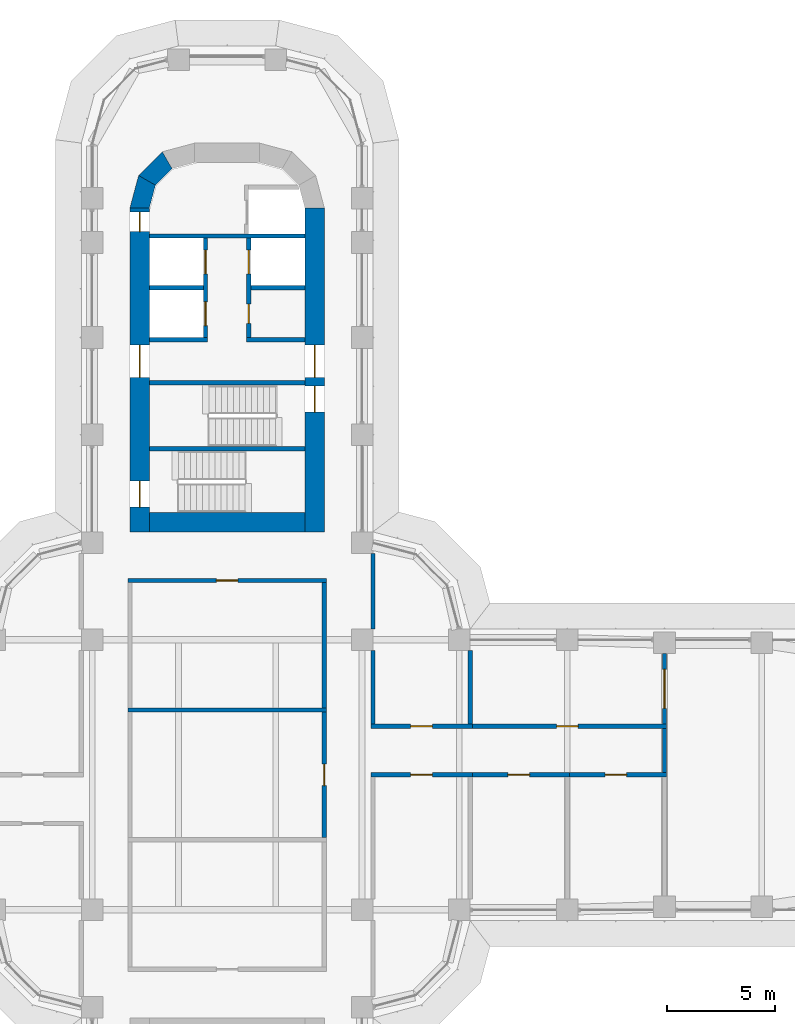
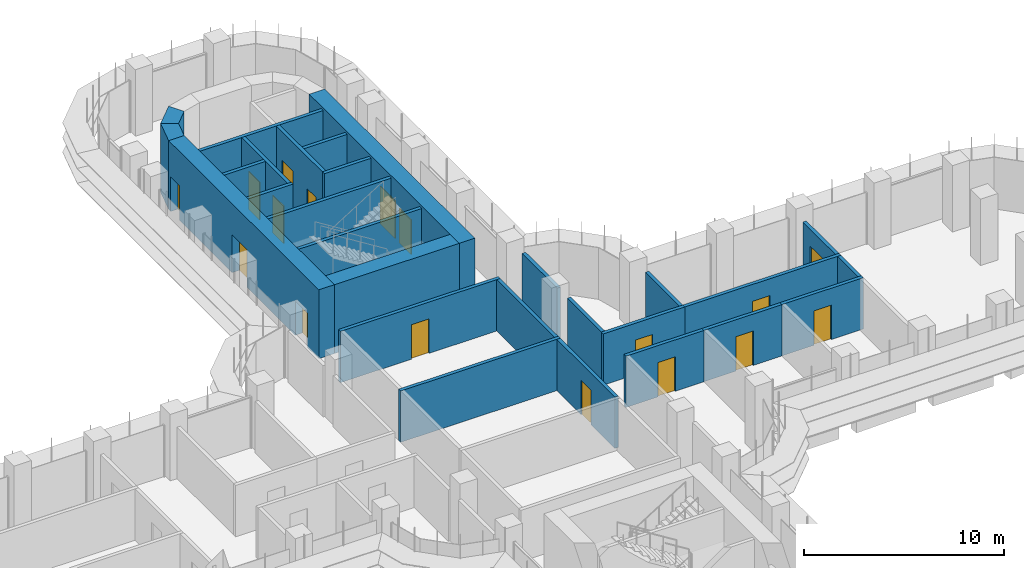
# One storey, part 18 of 23: 28 walls, 17 doors, 17 openings.
"""IFC4 building model written with IfcOpenShell, lengths in metres."""

from ifc_helpers import new_model, si_unit, direction, frame, frame_2d, origin, place, context, subcontext, project, spatial, polyline, rectangle, outline, extrude, material, layer, layer_set, type_object, element, fill, save


model = new_model("IFC4")

# Units and contexts
model_context = context("Model", 3, precision=1e-05, world=origin(), true_north=direction((0.0, 1.0)))
body_context = subcontext(model_context, "Body", "Model", "MODEL_VIEW")
ifc_project = project(units=[si_unit("LENGTHUNIT", "METRE"), si_unit("AREAUNIT", "SQUARE_METRE"), si_unit("VOLUMEUNIT", "CUBIC_METRE"), si_unit("PLANEANGLEUNIT", "RADIAN"), si_unit("MASSUNIT", "GRAM", prefix="KILO")], contexts=[model_context])

# Site, building, storey
site_placement = place(None, origin())
site = spatial("IfcSite", under=ifc_project, at=site_placement, CompositionType="ELEMENT")
building_placement = place(site_placement, origin())
building = spatial("IfcBuilding", under=site, at=building_placement, Name="Zarbagh Exchange Tower", CompositionType="ELEMENT")
storey_placement = place(building_placement, frame((0.0, 0.0, 39.60009765625)))
storey = spatial("IfcBuildingStorey", under=building, at=storey_placement, Name="L08", CompositionType="ELEMENT", Elevation=39.60009765625)

# Wall
ifc_material_1 = material(Name="Fire-rated plasterboard partition")
ifc_layer_1 = layer(ifc_material_1, 0.199951171875)
ifc_layer_set_1 = layer_set([ifc_layer_1], Name="RATED PARTITION 200")
wall_type_1 = type_object("IfcWallType", Name="RATED PARTITION 200", PredefinedType="PARTITIONING", material=ifc_layer_set_1)
wall_1_placement = place(storey_placement, frame((4.5, 3.10009765625, 0.0), z_axis=(0.0, 0.0, 1.0), x_axis=(0.0, 1.0, 0.0)))
element("IfcWall", 1, at=wall_1_placement, inside=storey, type_object=wall_type_1, Name="Partition W-208", PredefinedType="PARTITIONING", context=body_context, shape_type="SweptSolid", body=[
    extrude(rectangle(XDim=5.7998046875, YDim=0.199951171875, at=frame_2d((2.89990234375, 0.0))), origin(), (0.0, 0.0, 1.0), 3.13037109375),
])

# Wall, opening, door
wall_2_placement = place(storey_placement, frame((4.5, -2.89990234375, 0.0), z_axis=(0.0, 0.0, 1.0), x_axis=(0.0, 1.0, 0.0)))
wall_2 = element("IfcWall", 2, at=wall_2_placement, inside=storey, type_object=wall_type_1, Name="Partition W-209", PredefinedType="PARTITIONING", context=body_context, shape_type="SweptSolid", body=[
    extrude(rectangle(XDim=5.7998046875, YDim=0.199951171875, at=frame_2d((2.89990234375, 0.0))), origin(), (0.0, 0.0, 1.0), 3.13037109375),
])
opening_1_placement = place(wall_2_placement, frame((2.39990234375, 0.0, 0.0)))
opening_1 = element("IfcOpeningElement", 3, at=opening_1_placement, cuts=wall_2, Name="Opening D-201", PredefinedType="OPENING", context=body_context, shape_type="SweptSolid", body=[
    extrude(rectangle(XDim=1.0, YDim=2.10009765625, at=frame_2d((0.5, 1.050048828125))), frame((0.0, 0.10986328125, 0.0), z_axis=(0.0, -1.0, 0.0), x_axis=(1.0, 0.0, 0.0)), (0.0, 0.0, 1.0), 0.219970703125),
])
ifc_material_2 = material(Name="Steel door set", Category="steel")
door_type_1 = type_object("IfcDoorType", Name="FIRE DOOR 1000 X 2100 FD30S", OperationType="NOTDEFINED", PredefinedType="DOOR", material=ifc_material_2)
door_1_placement = place(opening_1_placement, origin())
door_1 = element("IfcDoor", 4, at=door_1_placement, inside=storey, type_object=door_type_1, Name="Door D-201", OperationType="SINGLE_SWING_RIGHT", OverallHeight=2.10009765625, OverallWidth=1.0, PredefinedType="DOOR", context=body_context, shape_type="SweptSolid", body=[
    extrude(rectangle(XDim=1.0, YDim=2.10009765625, at=frame_2d((0.5, 1.050048828125))), frame((0.0, 0.02490234375, 0.0), z_axis=(0.0, -1.0, 0.0), x_axis=(1.0, 0.0, 0.0)), (0.0, 0.0, 1.0), 0.050048828125),
])
fill(opening_1, door_1)

# Walls
wall_3_placement = place(storey_placement, frame((6.75, 2.35009765625, 0.0), z_axis=(0.0, 0.0, 1.0), x_axis=(0.0, 1.0, 0.0)))
element("IfcWall", 5, at=wall_3_placement, inside=storey, type_object=wall_type_1, Name="Partition W-211", PredefinedType="PARTITIONING", context=body_context, shape_type="SweptSolid", body=[
    extrude(rectangle(XDim=3.39990234375, YDim=0.199951171875, at=frame_2d((1.699951171875, 0.0))), origin(), (0.0, 0.0, 1.0), 3.13037109375),
])
wall_4_placement = place(storey_placement, frame((6.75, 6.75, 0.0), z_axis=(0.0, 0.0, 1.0), x_axis=(0.0, 1.0, 0.0)))
element("IfcWall", 6, at=wall_4_placement, inside=storey, type_object=wall_type_1, Name="Partition W-212", PredefinedType="PARTITIONING", context=body_context, shape_type="SweptSolid", body=[
    extrude(rectangle(XDim=3.5, YDim=0.199951171875, at=frame_2d((1.75, 0.0))), origin(), (0.0, 0.0, 1.0), 3.13037109375),
])

# Wall, opening, door
wall_5_placement = place(storey_placement, frame((4.60009765625, 9.0, 0.0), z_axis=(0.0, 0.0, 1.0), x_axis=(-1.0, 0.0, 0.0)))
wall_5 = element("IfcWall", 7, at=wall_5_placement, inside=storey, type_object=wall_type_1, Name="Partition W-215", PredefinedType="PARTITIONING", context=body_context, shape_type="SweptSolid", body=[
    extrude(rectangle(XDim=9.2001953125, YDim=0.199951171875, at=frame_2d((4.60009765625, 0.0))), origin(), (0.0, 0.0, 1.0), 3.13037109375),
])
opening_2_placement = place(wall_5_placement, frame((4.10009765625, 0.0, 0.0)))
opening_2 = element("IfcOpeningElement", 8, at=opening_2_placement, cuts=wall_5, Name="Opening D-202", PredefinedType="OPENING", context=body_context, shape_type="SweptSolid", body=[
    extrude(rectangle(XDim=1.0, YDim=2.10009765625, at=frame_2d((0.5, 1.050048828125))), frame((0.0, 0.10986328125, 0.0), z_axis=(0.0, -1.0, 0.0), x_axis=(1.0, 0.0, 0.0)), (0.0, 0.0, 1.0), 0.219970703125),
])
door_2_placement = place(opening_2_placement, origin())
door_2 = element("IfcDoor", 9, at=door_2_placement, inside=storey, type_object=door_type_1, Name="Door D-202", OperationType="SINGLE_SWING_RIGHT", OverallHeight=2.10009765625, OverallWidth=1.0, PredefinedType="DOOR", context=body_context, shape_type="SweptSolid", body=[
    extrude(rectangle(XDim=1.0, YDim=2.10009765625, at=frame_2d((0.5, 1.050048828125))), frame((0.0, 0.02490234375, 0.0), z_axis=(0.0, -1.0, 0.0), x_axis=(1.0, 0.0, 0.0)), (0.0, 0.0, 1.0), 0.050048828125),
])
fill(opening_2, door_2)

# Wall
wall_6_placement = place(storey_placement, frame((-4.60009765625, 3.0, 0.0), z_axis=(0.0, 0.0, 1.0), x_axis=(1.0, 0.0, 0.0)))
element("IfcWall", 10, at=wall_6_placement, inside=storey, type_object=wall_type_1, Name="Partition W-217", PredefinedType="PARTITIONING", context=body_context, shape_type="SweptSolid", body=[
    extrude(rectangle(XDim=9.2001953125, YDim=0.199951171875, at=frame_2d((4.60009765625, 0.0))), origin(), (0.0, 0.0, 1.0), 3.13037109375),
])

# Wall, opening, door
wall_7_placement = place(storey_placement, frame((6.64990234375, 2.25, 0.0), z_axis=(0.0, 0.0, 1.0), x_axis=(1.0, 0.0, 0.0)))
wall_7 = element("IfcWall", 11, at=wall_7_placement, inside=storey, type_object=wall_type_1, Name="Partition W-219", PredefinedType="PARTITIONING", context=body_context, shape_type="SweptSolid", body=[
    extrude(rectangle(XDim=4.7001953125, YDim=0.199951171875, at=frame_2d((2.35009765625, 0.0))), origin(), (0.0, 0.0, 1.0), 3.13037109375),
])
opening_3_placement = place(wall_7_placement, frame((1.85009765625, 0.0, 0.0)))
opening_3 = element("IfcOpeningElement", 12, at=opening_3_placement, cuts=wall_7, Name="Opening D-205", PredefinedType="OPENING", context=body_context, shape_type="SweptSolid", body=[
    extrude(rectangle(XDim=1.0, YDim=2.10009765625, at=frame_2d((0.5, 1.050048828125))), frame((0.0, 0.10986328125, 0.0), z_axis=(0.0, -1.0, 0.0), x_axis=(1.0, 0.0, 0.0)), (0.0, 0.0, 1.0), 0.219970703125),
])
door_3_placement = place(opening_3_placement, origin())
door_3 = element("IfcDoor", 13, at=door_3_placement, inside=storey, type_object=door_type_1, Name="Door D-205", OperationType="SINGLE_SWING_RIGHT", OverallHeight=2.10009765625, OverallWidth=1.0, PredefinedType="DOOR", context=body_context, shape_type="SweptSolid", body=[
    extrude(rectangle(XDim=1.0, YDim=2.10009765625, at=frame_2d((0.5, 1.050048828125))), frame((0.0, 0.02490234375, 0.0), z_axis=(0.0, -1.0, 0.0), x_axis=(1.0, 0.0, 0.0)), (0.0, 0.0, 1.0), 0.050048828125),
])
fill(opening_3, door_3)

wall_8_placement = place(storey_placement, frame((11.35009765625, 0.0, 0.0), z_axis=(0.0, 0.0, 1.0), x_axis=(-1.0, 0.0, 0.0)))
wall_8 = element("IfcWall", 14, at=wall_8_placement, inside=storey, type_object=wall_type_1, Name="Partition W-220", PredefinedType="PARTITIONING", context=body_context, shape_type="SweptSolid", body=[
    extrude(rectangle(XDim=4.7001953125, YDim=0.199951171875, at=frame_2d((2.35009765625, 0.0))), origin(), (0.0, 0.0, 1.0), 3.13037109375),
])
opening_4_placement = place(wall_8_placement, frame((1.85009765625, 0.0, 0.0)))
opening_4 = element("IfcOpeningElement", 15, at=opening_4_placement, cuts=wall_8, Name="Opening D-207", PredefinedType="OPENING", context=body_context, shape_type="SweptSolid", body=[
    extrude(rectangle(XDim=1.0, YDim=2.10009765625, at=frame_2d((0.5, 1.050048828125))), frame((0.0, 0.10986328125, 0.0), z_axis=(0.0, -1.0, 0.0), x_axis=(1.0, 0.0, 0.0)), (0.0, 0.0, 1.0), 0.219970703125),
])
door_4_placement = place(opening_4_placement, origin())
door_4 = element("IfcDoor", 16, at=door_4_placement, inside=storey, type_object=door_type_1, Name="Door D-207", OperationType="SINGLE_SWING_RIGHT", OverallHeight=2.10009765625, OverallWidth=1.0, PredefinedType="DOOR", context=body_context, shape_type="SweptSolid", body=[
    extrude(rectangle(XDim=1.0, YDim=2.10009765625, at=frame_2d((0.5, 1.050048828125))), frame((0.0, 0.02490234375, 0.0), z_axis=(0.0, -1.0, 0.0), x_axis=(1.0, 0.0, 0.0)), (0.0, 0.0, 1.0), 0.050048828125),
])
fill(opening_4, door_4)

wall_9_placement = place(storey_placement, frame((11.14990234375, 2.25, 0.0), z_axis=(0.0, 0.0, 1.0), x_axis=(1.0, 0.0, 0.0)))
wall_9 = element("IfcWall", 17, at=wall_9_placement, inside=storey, type_object=wall_type_1, Name="Partition W-221", PredefinedType="PARTITIONING", context=body_context, shape_type="SweptSolid", body=[
    extrude(rectangle(XDim=9.2001953125, YDim=0.199951171875, at=frame_2d((4.60009765625, 0.0))), origin(), (0.0, 0.0, 1.0), 3.13037109375),
])
opening_5_placement = place(wall_9_placement, frame((4.10009765625, 0.0, 0.0)))
opening_5 = element("IfcOpeningElement", 18, at=opening_5_placement, cuts=wall_9, Name="Opening D-206", PredefinedType="OPENING", context=body_context, shape_type="SweptSolid", body=[
    extrude(rectangle(XDim=1.0, YDim=2.10009765625, at=frame_2d((0.5, 1.050048828125))), frame((0.0, 0.10986328125, 0.0), z_axis=(0.0, -1.0, 0.0), x_axis=(1.0, 0.0, 0.0)), (0.0, 0.0, 1.0), 0.219970703125),
])
door_5_placement = place(opening_5_placement, origin())
door_5 = element("IfcDoor", 19, at=door_5_placement, inside=storey, type_object=door_type_1, Name="Door D-206", OperationType="SINGLE_SWING_LEFT", OverallHeight=2.10009765625, OverallWidth=1.0, PredefinedType="DOOR", context=body_context, shape_type="SweptSolid", body=[
    extrude(rectangle(XDim=1.0, YDim=2.10009765625, at=frame_2d((0.5, 1.050048828125))), frame((0.0, 0.02490234375, 0.0), z_axis=(0.0, -1.0, 0.0), x_axis=(1.0, 0.0, 0.0)), (0.0, 0.0, 1.0), 0.050048828125),
])
fill(opening_5, door_5)

wall_10_placement = place(storey_placement, frame((15.85009765625, 0.0, 0.0), z_axis=(0.0, 0.0, 1.0), x_axis=(-1.0, 0.0, 0.0)))
wall_10 = element("IfcWall", 20, at=wall_10_placement, inside=storey, type_object=wall_type_1, Name="Partition W-222", PredefinedType="PARTITIONING", context=body_context, shape_type="SweptSolid", body=[
    extrude(rectangle(XDim=4.7001953125, YDim=0.199951171875, at=frame_2d((2.35009765625, 0.0))), origin(), (0.0, 0.0, 1.0), 3.13037109375),
])
opening_6_placement = place(wall_10_placement, frame((1.85009765625, 0.0, 0.0)))
opening_6 = element("IfcOpeningElement", 21, at=opening_6_placement, cuts=wall_10, Name="Opening D-208", PredefinedType="OPENING", context=body_context, shape_type="SweptSolid", body=[
    extrude(rectangle(XDim=1.0, YDim=2.10009765625, at=frame_2d((0.5, 1.050048828125))), frame((0.0, 0.10986328125, 0.0), z_axis=(0.0, -1.0, 0.0), x_axis=(1.0, 0.0, 0.0)), (0.0, 0.0, 1.0), 0.219970703125),
])
door_6_placement = place(opening_6_placement, origin())
door_6 = element("IfcDoor", 22, at=door_6_placement, inside=storey, type_object=door_type_1, Name="Door D-208", OperationType="SINGLE_SWING_RIGHT", OverallHeight=2.10009765625, OverallWidth=1.0, PredefinedType="DOOR", context=body_context, shape_type="SweptSolid", body=[
    extrude(rectangle(XDim=1.0, YDim=2.10009765625, at=frame_2d((0.5, 1.050048828125))), frame((0.0, 0.02490234375, 0.0), z_axis=(0.0, -1.0, 0.0), x_axis=(1.0, 0.0, 0.0)), (0.0, 0.0, 1.0), 0.050048828125),
])
fill(opening_6, door_6)

wall_11_placement = place(storey_placement, frame((20.35009765625, 0.0, 0.0), z_axis=(0.0, 0.0, 1.0), x_axis=(-1.0, 0.0, 0.0)))
wall_11 = element("IfcWall", 23, at=wall_11_placement, inside=storey, type_object=wall_type_1, Name="Partition W-223", PredefinedType="PARTITIONING", context=body_context, shape_type="SweptSolid", body=[
    extrude(rectangle(XDim=4.7001953125, YDim=0.199951171875, at=frame_2d((2.35009765625, 0.0))), origin(), (0.0, 0.0, 1.0), 3.13037109375),
])
opening_7_placement = place(wall_11_placement, frame((1.85009765625, 0.0, 0.0)))
opening_7 = element("IfcOpeningElement", 24, at=opening_7_placement, cuts=wall_11, Name="Opening D-209", PredefinedType="OPENING", context=body_context, shape_type="SweptSolid", body=[
    extrude(rectangle(XDim=1.0, YDim=2.10009765625, at=frame_2d((0.5, 1.050048828125))), frame((0.0, 0.10986328125, 0.0), z_axis=(0.0, -1.0, 0.0), x_axis=(1.0, 0.0, 0.0)), (0.0, 0.0, 1.0), 0.219970703125),
])
door_7_placement = place(opening_7_placement, origin())
door_7 = element("IfcDoor", 25, at=door_7_placement, inside=storey, type_object=door_type_1, Name="Door D-209", OperationType="SINGLE_SWING_RIGHT", OverallHeight=2.10009765625, OverallWidth=1.0, PredefinedType="DOOR", context=body_context, shape_type="SweptSolid", body=[
    extrude(rectangle(XDim=1.0, YDim=2.10009765625, at=frame_2d((0.5, 1.050048828125))), frame((0.0, 0.02490234375, 0.0), z_axis=(0.0, -1.0, 0.0), x_axis=(1.0, 0.0, 0.0)), (0.0, 0.0, 1.0), 0.050048828125),
])
fill(opening_7, door_7)

# Walls
wall_12_placement = place(storey_placement, frame((20.25, 0.10009765625, 0.0), z_axis=(0.0, 0.0, 1.0), x_axis=(0.0, 1.0, 0.0)))
element("IfcWall", 26, at=wall_12_placement, inside=storey, type_object=wall_type_1, Name="Partition W-224", PredefinedType="PARTITIONING", context=body_context, shape_type="SweptSolid", body=[
    extrude(rectangle(XDim=2.0498046875, YDim=0.199951171875, at=frame_2d((1.02490234375, 0.0))), origin(), (0.0, 0.0, 1.0), 3.13037109375),
])
wall_13_placement = place(storey_placement, frame((11.25, 2.35009765625, 0.0), z_axis=(0.0, 0.0, 1.0), x_axis=(0.0, 1.0, 0.0)))
element("IfcWall", 27, at=wall_13_placement, inside=storey, type_object=wall_type_1, Name="Partition W-225", PredefinedType="PARTITIONING", context=body_context, shape_type="SweptSolid", body=[
    extrude(rectangle(XDim=3.39990234375, YDim=0.199951171875, at=frame_2d((1.699951171875, 0.0))), origin(), (0.0, 0.0, 1.0), 3.13037109375),
])

# Wall, opening, door
wall_14_placement = place(storey_placement, frame((20.25, 5.610107421875, 0.0), z_axis=(0.0, 0.0, 1.0), x_axis=(0.0, -1.0, 0.0)))
wall_14 = element("IfcWall", 28, at=wall_14_placement, inside=storey, type_object=wall_type_1, Name="Partition W-227", PredefinedType="PARTITIONING", context=body_context, shape_type="SweptSolid", body=[
    extrude(rectangle(XDim=3.260009765625, YDim=0.199951171875, at=frame_2d((1.6298828125, 0.0))), origin(), (0.0, 0.0, 1.0), 3.13037109375),
])
opening_8_placement = place(wall_14_placement, frame((0.72998046875, 0.0, 0.0)))
opening_8 = element("IfcOpeningElement", 29, at=opening_8_placement, cuts=wall_14, Name="Opening D-204", PredefinedType="OPENING", context=body_context, shape_type="SweptSolid", body=[
    extrude(rectangle(XDim=1.800048828125, YDim=2.10009765625, at=frame_2d((0.89990234375, 1.050048828125))), frame((0.0, 0.10986328125, 0.0), z_axis=(0.0, -1.0, 0.0), x_axis=(1.0, 0.0, 0.0)), (0.0, 0.0, 1.0), 0.219970703125),
])
door_type_2 = type_object("IfcDoorType", Name="FIRE DOUBLE DOOR 1800 X 2100 FD30S", OperationType="DOUBLE_DOOR_SINGLE_SWING", PredefinedType="DOOR", material=ifc_material_2)
door_8_placement = place(opening_8_placement, origin())
door_8 = element("IfcDoor", 30, at=door_8_placement, inside=storey, type_object=door_type_2, Name="Door D-204", OperationType="DOUBLE_DOOR_SINGLE_SWING", OverallHeight=2.10009765625, OverallWidth=1.800048828125, PredefinedType="DOOR", context=body_context, shape_type="SweptSolid", body=[
    extrude(rectangle(XDim=1.800048828125, YDim=2.10009765625, at=frame_2d((0.89990234375, 1.050048828125))), frame((0.0, 0.02490234375, 0.0), z_axis=(0.0, -1.0, 0.0), x_axis=(1.0, 0.0, 0.0)), (0.0, 0.0, 1.0), 0.050048828125),
])
fill(opening_8, door_8)

# Walls
ifc_material_3 = material(Name="Concrete C60/75", Category="concrete")
ifc_layer_2 = layer(ifc_material_3, 0.89990234375)
ifc_layer_set_2 = layer_set([ifc_layer_2], Name="RC core corner wall 900 C60/75")
wall_type_2 = type_object("IfcWallType", Name="RC core corner wall 900 C60/75", PredefinedType="SHEAR", material=ifc_layer_set_2)
wall_15_placement = place(storey_placement, origin())
element("IfcWall", 31, at=wall_15_placement, inside=storey, type_object=wall_type_2, Name="CW2 core N corner W", PredefinedType="SHEAR", context=body_context, shape_type="SweptSolid", body=[
    extrude(outline(polyline([(-4.5, 26.25), (-4.09814453125, 27.75), (-3.318603515625, 27.300048828125), (-3.60009765625, 26.25), (-4.5, 26.25)])), origin(), (0.0, 0.0, 1.0), 4.199951171875),
])
wall_16_placement = place(storey_placement, origin())
element("IfcWall", 32, at=wall_16_placement, inside=storey, type_object=wall_type_2, Name="CW2 core N corner W", PredefinedType="SHEAR", context=body_context, shape_type="SweptSolid", body=[
    extrude(outline(polyline([(-4.09814453125, 27.75), (-3.0, 28.84814453125), (-2.550048828125, 28.068603515625), (-3.318603515625, 27.300048828125), (-4.09814453125, 27.75)])), origin(), (0.0, 0.0, 1.0), 4.199951171875),
])

# Wall, openings, doors
ifc_layer_3 = layer(ifc_material_3, 0.89990234375)
ifc_layer_set_3 = layer_set([ifc_layer_3], Name="RC core wall 900 C60/75")
wall_type_3 = type_object("IfcWallType", Name="RC core wall 900 C60/75", PredefinedType="SHEAR", material=ifc_layer_set_3)
wall_17_placement = place(storey_placement, frame((-4.050048828125, 11.25, 0.0), z_axis=(0.0, 0.0, 1.0), x_axis=(0.0, 1.0, 0.0)))
wall_17 = element("IfcWall", 33, at=wall_17_placement, inside=storey, type_object=wall_type_3, Name="CW1 core N W", PredefinedType="SHEAR", context=body_context, shape_type="SweptSolid", body=[
    extrude(rectangle(XDim=15.0, YDim=0.89990234375, at=frame_2d((7.5, 0.0))), origin(), (0.0, 0.0, 1.0), 4.199951171875),
])
opening_9_placement = place(wall_17_placement, frame((7.14990234375, 0.0, 0.0)))
opening_9 = element("IfcOpeningElement", 34, at=opening_9_placement, cuts=wall_17, Name="Opening CD1-1500", PredefinedType="OPENING", context=body_context, shape_type="SweptSolid", body=[
    extrude(rectangle(XDim=1.5, YDim=2.300048828125, at=frame_2d((0.75, 1.14990234375))), frame((0.0, 0.4599609375, 0.0), z_axis=(0.0, -1.0, 0.0), x_axis=(1.0, 0.0, 0.0)), (0.0, 0.0, 1.0), 0.919921875),
])
opening_10_placement = place(wall_17_placement, frame((13.89990234375, 0.0, 0.0)))
opening_10 = element("IfcOpeningElement", 35, at=opening_10_placement, cuts=wall_17, Name="Opening CD2-900", PredefinedType="OPENING", context=body_context, shape_type="SweptSolid", body=[
    extrude(rectangle(XDim=0.89990234375, YDim=2.10009765625, at=frame_2d((0.449951171875, 1.050048828125))), frame((0.0, 0.4599609375, 0.0), z_axis=(0.0, -1.0, 0.0), x_axis=(1.0, 0.0, 0.0)), (0.0, 0.0, 1.0), 0.919921875),
])
opening_11_placement = place(wall_17_placement, frame((1.14990234375, 0.0, 0.0)))
opening_11 = element("IfcOpeningElement", 36, at=opening_11_placement, cuts=wall_17, Name="Opening SD1-1200", PredefinedType="OPENING", context=body_context, shape_type="SweptSolid", body=[
    extrude(rectangle(XDim=1.199951171875, YDim=2.10009765625, at=frame_2d((0.60009765625, 1.050048828125))), frame((0.0, 0.4599609375, 0.0), z_axis=(0.0, -1.0, 0.0), x_axis=(1.0, 0.0, 0.0)), (0.0, 0.0, 1.0), 0.919921875),
])
ifc_material_4 = material(Name="Steel", Category="steel")
door_type_3 = type_object("IfcDoorType", Name="Exit stair door 1200 x 2100", OperationType="NOTDEFINED", PredefinedType="DOOR", material=ifc_material_4)
door_9_placement = place(opening_11_placement, origin())
door_9 = element("IfcDoor", 37, at=door_9_placement, inside=storey, type_object=door_type_3, Name="North core stair door ST2", OperationType="SINGLE_SWING_LEFT", OverallHeight=2.10009765625, OverallWidth=1.199951171875, PredefinedType="DOOR", context=body_context, shape_type="SweptSolid", body=[
    extrude(rectangle(XDim=1.199951171875, YDim=2.10009765625, at=frame_2d((0.60009765625, 1.050048828125))), frame((0.0, 0.02490234375, 0.0), z_axis=(0.0, -1.0, 0.0), x_axis=(1.0, 0.0, 0.0)), (0.0, 0.0, 1.0), 0.050048828125),
])
fill(opening_11, door_9)
door_type_4 = type_object("IfcDoorType", Name="Firefighting lobby door 900 x 2100", OperationType="NOTDEFINED", PredefinedType="DOOR", material=ifc_material_4)
door_10_placement = place(opening_10_placement, origin())
door_10 = element("IfcDoor", 38, at=door_10_placement, inside=storey, type_object=door_type_4, Name="North core firefighting lobby door FF-W", OperationType="SINGLE_SWING_RIGHT", OverallHeight=2.10009765625, OverallWidth=0.89990234375, PredefinedType="DOOR", context=body_context, shape_type="SweptSolid", body=[
    extrude(rectangle(XDim=0.89990234375, YDim=2.10009765625, at=frame_2d((0.449951171875, 1.050048828125))), frame((0.0, 0.02490234375, 0.0), z_axis=(0.0, -1.0, 0.0), x_axis=(1.0, 0.0, 0.0)), (0.0, 0.0, 1.0), 0.050048828125),
])
fill(opening_10, door_10)
door_type_5 = type_object("IfcDoorType", Name="Lift lobby double door 1500 x 2300", OperationType="NOTDEFINED", PredefinedType="DOOR", material=ifc_material_4)
door_11_placement = place(opening_9_placement, origin())
door_11 = element("IfcDoor", 39, at=door_11_placement, inside=storey, type_object=door_type_5, Name="North core lift lobby door LOBBY-W", OperationType="DOUBLE_DOOR_SINGLE_SWING", OverallHeight=2.300048828125, OverallWidth=1.5, PredefinedType="DOOR", context=body_context, shape_type="SweptSolid", body=[
    extrude(rectangle(XDim=1.5, YDim=2.300048828125, at=frame_2d((0.75, 1.14990234375))), frame((0.0, 0.02490234375, 0.0), z_axis=(0.0, -1.0, 0.0), x_axis=(1.0, 0.0, 0.0)), (0.0, 0.0, 1.0), 0.050048828125),
])
fill(opening_9, door_11)

wall_18_placement = place(storey_placement, frame((4.050048828125, 11.25, 0.0), z_axis=(0.0, 0.0, 1.0), x_axis=(0.0, 1.0, 0.0)))
wall_18 = element("IfcWall", 40, at=wall_18_placement, inside=storey, type_object=wall_type_3, Name="CW1 core N E", PredefinedType="SHEAR", context=body_context, shape_type="SweptSolid", body=[
    extrude(rectangle(XDim=15.0, YDim=0.89990234375, at=frame_2d((7.5, 0.0))), origin(), (0.0, 0.0, 1.0), 4.199951171875),
])
opening_12_placement = place(wall_18_placement, frame((7.14990234375, 0.0, 0.0)))
opening_12 = element("IfcOpeningElement", 41, at=opening_12_placement, cuts=wall_18, Name="Opening CD1-1500", PredefinedType="OPENING", context=body_context, shape_type="SweptSolid", body=[
    extrude(rectangle(XDim=1.5, YDim=2.300048828125, at=frame_2d((0.75, 1.14990234375))), frame((0.0, 0.4599609375, 0.0), z_axis=(0.0, -1.0, 0.0), x_axis=(1.0, 0.0, 0.0)), (0.0, 0.0, 1.0), 0.919921875),
])
opening_13_placement = place(wall_18_placement, frame((5.550048828125, 0.0, 0.0)))
opening_13 = element("IfcOpeningElement", 42, at=opening_13_placement, cuts=wall_18, Name="Opening SD1-1200", PredefinedType="OPENING", context=body_context, shape_type="SweptSolid", body=[
    extrude(rectangle(XDim=1.199951171875, YDim=2.10009765625, at=frame_2d((0.60009765625, 1.050048828125))), frame((0.0, 0.4599609375, 0.0), z_axis=(0.0, -1.0, 0.0), x_axis=(1.0, 0.0, 0.0)), (0.0, 0.0, 1.0), 0.919921875),
])
door_12_placement = place(opening_13_placement, origin())
door_12 = element("IfcDoor", 43, at=door_12_placement, inside=storey, type_object=door_type_3, Name="North core stair door ST1", OperationType="SINGLE_SWING_LEFT", OverallHeight=2.10009765625, OverallWidth=1.199951171875, PredefinedType="DOOR", context=body_context, shape_type="SweptSolid", body=[
    extrude(rectangle(XDim=1.199951171875, YDim=2.10009765625, at=frame_2d((0.60009765625, 1.050048828125))), frame((0.0, 0.02490234375, 0.0), z_axis=(0.0, -1.0, 0.0), x_axis=(1.0, 0.0, 0.0)), (0.0, 0.0, 1.0), 0.050048828125),
])
fill(opening_13, door_12)
door_13_placement = place(opening_12_placement, origin())
door_13 = element("IfcDoor", 44, at=door_13_placement, inside=storey, type_object=door_type_5, Name="North core lift lobby door LOBBY-E", OperationType="DOUBLE_DOOR_SINGLE_SWING", OverallHeight=2.300048828125, OverallWidth=1.5, PredefinedType="DOOR", context=body_context, shape_type="SweptSolid", body=[
    extrude(rectangle(XDim=1.5, YDim=2.300048828125, at=frame_2d((0.75, 1.14990234375))), frame((0.0, 0.02490234375, 0.0), z_axis=(0.0, -1.0, 0.0), x_axis=(1.0, 0.0, 0.0)), (0.0, 0.0, 1.0), 0.050048828125),
])
fill(opening_12, door_13)

# Walls
wall_19_placement = place(storey_placement, frame((-3.60009765625, 11.699951171875, 0.0), z_axis=(0.0, 0.0, 1.0), x_axis=(1.0, 0.0, 0.0)))
element("IfcWall", 45, at=wall_19_placement, inside=storey, type_object=wall_type_3, Name="CW1 core N inner end", PredefinedType="SHEAR", context=body_context, shape_type="SweptSolid", body=[
    extrude(rectangle(XDim=7.2001953125, YDim=0.89990234375, at=frame_2d((3.60009765625, 0.0))), origin(), (0.0, 0.0, 1.0), 4.199951171875),
])
ifc_material_5 = material(Name="Dense blockwork", Category="masonry")
ifc_layer_4 = layer(ifc_material_5, 0.199951171875)
ifc_layer_set_4 = layer_set([ifc_layer_4], Name="Shaft wall 200 mm blockwork")
wall_type_4 = type_object("IfcWallType", Name="Shaft wall 200 mm blockwork", PredefinedType="PARTITIONING", material=ifc_layer_set_4)
wall_20_placement = place(storey_placement, frame((-3.60009765625, 20.14990234375, 0.0), z_axis=(0.0, 0.0, 1.0), x_axis=(1.0, 0.0, 0.0)))
element("IfcWall", 46, at=wall_20_placement, inside=storey, type_object=wall_type_4, Name="North core shaft wall AB-W", PredefinedType="PARTITIONING", context=body_context, shape_type="SweptSolid", body=[
    extrude(rectangle(XDim=2.7001953125, YDim=0.199951171875, at=frame_2d((1.35009765625, 0.0))), origin(), (0.0, 0.0, 1.0), 4.0498046875),
])

# Wall, openings, doors
wall_21_placement = place(storey_placement, frame((-1.0, 24.85009765625, 0.0), z_axis=(0.0, 0.0, 1.0), x_axis=(0.0, -1.0, 0.0)))
wall_21 = element("IfcWall", 47, at=wall_21_placement, inside=storey, type_object=wall_type_4, Name="North core shaft wall LW-W", PredefinedType="PARTITIONING", context=body_context, shape_type="SweptSolid", body=[
    extrude(rectangle(XDim=4.60009765625, YDim=0.199951171875, at=frame_2d((2.300048828125, 0.0))), origin(), (0.0, 0.0, 1.0), 4.0498046875),
])
opening_14_placement = place(wall_21_placement, frame((0.550048828125, 0.0, 0.0)))
opening_14 = element("IfcOpeningElement", 48, at=opening_14_placement, cuts=wall_21, Name="Opening LD-1100", PredefinedType="OPENING", context=body_context, shape_type="SweptSolid", body=[
    extrude(rectangle(XDim=1.10009765625, YDim=2.300048828125, at=frame_2d((0.550048828125, 1.14990234375))), frame((0.0, 0.10986328125, 0.0), z_axis=(0.0, -1.0, 0.0), x_axis=(1.0, 0.0, 0.0)), (0.0, 0.0, 1.0), 0.219970703125),
])
opening_15_placement = place(wall_21_placement, frame((2.949951171875, 0.0, 0.0)))
opening_15 = element("IfcOpeningElement", 49, at=opening_15_placement, cuts=wall_21, Name="Opening LD-1100", PredefinedType="OPENING", context=body_context, shape_type="SweptSolid", body=[
    extrude(rectangle(XDim=1.10009765625, YDim=2.300048828125, at=frame_2d((0.550048828125, 1.14990234375))), frame((0.0, 0.10986328125, 0.0), z_axis=(0.0, -1.0, 0.0), x_axis=(1.0, 0.0, 0.0)), (0.0, 0.0, 1.0), 0.219970703125),
])
ifc_material_6 = material(Name="Stainless steel", Category="steel")
door_type_6 = type_object("IfcDoorType", Name="Lift landing door 1100 x 2300", OperationType="NOTDEFINED", PredefinedType="DOOR", material=ifc_material_6)
door_14_placement = place(opening_14_placement, origin())
door_14 = element("IfcDoor", 50, at=door_14_placement, inside=storey, type_object=door_type_6, Name="North core lift landing door LD-P-N1", OperationType="DOUBLE_DOOR_SLIDING", OverallHeight=2.300048828125, OverallWidth=1.10009765625, PredefinedType="DOOR", context=body_context, shape_type="SweptSolid", body=[
    extrude(rectangle(XDim=1.10009765625, YDim=2.300048828125, at=frame_2d((0.550048828125, 1.14990234375))), frame((0.0, 0.02490234375, 0.0), z_axis=(0.0, -1.0, 0.0), x_axis=(1.0, 0.0, 0.0)), (0.0, 0.0, 1.0), 0.050048828125),
])
fill(opening_14, door_14)
door_15_placement = place(opening_15_placement, origin())
door_15 = element("IfcDoor", 51, at=door_15_placement, inside=storey, type_object=door_type_6, Name="North core lift landing door LD-P-N2", OperationType="DOUBLE_DOOR_SLIDING", OverallHeight=2.300048828125, OverallWidth=1.10009765625, PredefinedType="DOOR", context=body_context, shape_type="SweptSolid", body=[
    extrude(rectangle(XDim=1.10009765625, YDim=2.300048828125, at=frame_2d((0.550048828125, 1.14990234375))), frame((0.0, 0.02490234375, 0.0), z_axis=(0.0, -1.0, 0.0), x_axis=(1.0, 0.0, 0.0)), (0.0, 0.0, 1.0), 0.050048828125),
])
fill(opening_15, door_15)

# Wall
wall_22_placement = place(storey_placement, frame((0.89990234375, 20.14990234375, 0.0), z_axis=(0.0, 0.0, 1.0), x_axis=(1.0, 0.0, 0.0)))
element("IfcWall", 52, at=wall_22_placement, inside=storey, type_object=wall_type_4, Name="North core shaft wall AB-E", PredefinedType="PARTITIONING", context=body_context, shape_type="SweptSolid", body=[
    extrude(rectangle(XDim=2.7001953125, YDim=0.199951171875, at=frame_2d((1.35009765625, 0.0))), origin(), (0.0, 0.0, 1.0), 4.0498046875),
])

# Wall, openings, doors
wall_23_placement = place(storey_placement, frame((1.0, 24.85009765625, 0.0), z_axis=(0.0, 0.0, 1.0), x_axis=(0.0, -1.0, 0.0)))
wall_23 = element("IfcWall", 53, at=wall_23_placement, inside=storey, type_object=wall_type_4, Name="North core shaft wall LW-E", PredefinedType="PARTITIONING", context=body_context, shape_type="SweptSolid", body=[
    extrude(rectangle(XDim=4.60009765625, YDim=0.199951171875, at=frame_2d((2.300048828125, 0.0))), origin(), (0.0, 0.0, 1.0), 4.0498046875),
])
opening_16_placement = place(wall_23_placement, frame((0.550048828125, 0.0, 0.0)))
opening_16 = element("IfcOpeningElement", 54, at=opening_16_placement, cuts=wall_23, Name="Opening LD-1100", PredefinedType="OPENING", context=body_context, shape_type="SweptSolid", body=[
    extrude(rectangle(XDim=1.10009765625, YDim=2.300048828125, at=frame_2d((0.550048828125, 1.14990234375))), frame((0.0, 0.10986328125, 0.0), z_axis=(0.0, -1.0, 0.0), x_axis=(1.0, 0.0, 0.0)), (0.0, 0.0, 1.0), 0.219970703125),
])
opening_17_placement = place(wall_23_placement, frame((3.050048828125, 0.0, 0.0)))
opening_17 = element("IfcOpeningElement", 55, at=opening_17_placement, cuts=wall_23, Name="Opening CD3-900", PredefinedType="OPENING", context=body_context, shape_type="SweptSolid", body=[
    extrude(rectangle(XDim=0.89990234375, YDim=2.10009765625, at=frame_2d((0.449951171875, 1.050048828125))), frame((0.0, 0.10986328125, 0.0), z_axis=(0.0, -1.0, 0.0), x_axis=(1.0, 0.0, 0.0)), (0.0, 0.0, 1.0), 0.219970703125),
])
door_type_7 = type_object("IfcDoorType", Name="Core room door 900 x 2100", OperationType="NOTDEFINED", PredefinedType="DOOR", material=ifc_material_4)
door_16_placement = place(opening_17_placement, origin())
door_16 = element("IfcDoor", 56, at=door_16_placement, inside=storey, type_object=door_type_7, Name="North core Accessible WC door RD-E-0", OperationType="SINGLE_SWING_LEFT", OverallHeight=2.10009765625, OverallWidth=0.89990234375, PredefinedType="DOOR", context=body_context, shape_type="SweptSolid", body=[
    extrude(rectangle(XDim=0.89990234375, YDim=2.10009765625, at=frame_2d((0.449951171875, 1.050048828125))), frame((0.0, 0.02490234375, 0.0), z_axis=(0.0, -1.0, 0.0), x_axis=(1.0, 0.0, 0.0)), (0.0, 0.0, 1.0), 0.050048828125),
])
fill(opening_17, door_16)
door_17_placement = place(opening_16_placement, origin())
door_17 = element("IfcDoor", 57, at=door_17_placement, inside=storey, type_object=door_type_6, Name="North core lift landing door LD-P-N3", OperationType="DOUBLE_DOOR_SLIDING", OverallHeight=2.300048828125, OverallWidth=1.10009765625, PredefinedType="DOOR", context=body_context, shape_type="SweptSolid", body=[
    extrude(rectangle(XDim=1.10009765625, YDim=2.300048828125, at=frame_2d((0.550048828125, 1.14990234375))), frame((0.0, 0.02490234375, 0.0), z_axis=(0.0, -1.0, 0.0), x_axis=(1.0, 0.0, 0.0)), (0.0, 0.0, 1.0), 0.050048828125),
])
fill(opening_16, door_17)

# Walls
for number, where, z_axis, x_axis, name in (
    (58, (-3.60009765625, 22.550048828125, 0.0), (0.0, 0.0, 1.0), (1.0, 0.0, 0.0), "North core shaft wall TR-W"),
    (59, (1.10009765625, 22.550048828125, 0.0), (0.0, 0.0, 1.0), (1.0, 0.0, 0.0), "North core shaft wall TR-E"),
):
    element("IfcWall", number, at=place(storey_placement, frame(where, z_axis=z_axis, x_axis=x_axis)), inside=storey, type_object=wall_type_4, Name=name, PredefinedType="PARTITIONING", context=body_context, shape_type="SweptSolid", body=[
        extrude(rectangle(XDim=2.5, YDim=0.199951171875, at=frame_2d((1.25, 0.0))), origin(), (0.0, 0.0, 1.0), 4.0498046875),
    ])
ifc_material_7 = material(Name="Concrete C40/50", Category="concrete")
ifc_layer_5 = layer(ifc_material_7, 0.199951171875)
ifc_layer_set_5 = layer_set([ifc_layer_5], Name="Stair enclosure wall 200 mm RC C40/50")
wall_type_5 = type_object("IfcWallType", Name="Stair enclosure wall 200 mm RC C40/50", PredefinedType="SHEAR", material=ifc_layer_set_5)
for number, where, z_axis, x_axis, name in (
    (60, (-3.60009765625, 24.949951171875, 0.0), (0.0, 0.0, 1.0), (1.0, 0.0, 0.0), "North core lift shaft wall FFA"),
    (61, (-3.60009765625, 18.14990234375, 0.0), (0.0, 0.0, 1.0), (1.0, 0.0, 0.0), "North core stair wall BS"),
    (62, (-3.60009765625, 15.10009765625, 0.0), (0.0, 0.0, 1.0), (1.0, 0.0, 0.0), "North core stair wall ST12"),
):
    element("IfcWall", number, at=place(storey_placement, frame(where, z_axis=z_axis, x_axis=x_axis)), inside=storey, type_object=wall_type_5, Name=name, PredefinedType="SHEAR", context=body_context, shape_type="SweptSolid", body=[
        extrude(rectangle(XDim=7.2001953125, YDim=0.199951171875, at=frame_2d((3.60009765625, 0.0))), origin(), (0.0, 0.0, 1.0), 4.0498046875),
    ])

save(model, "model.ifc")
